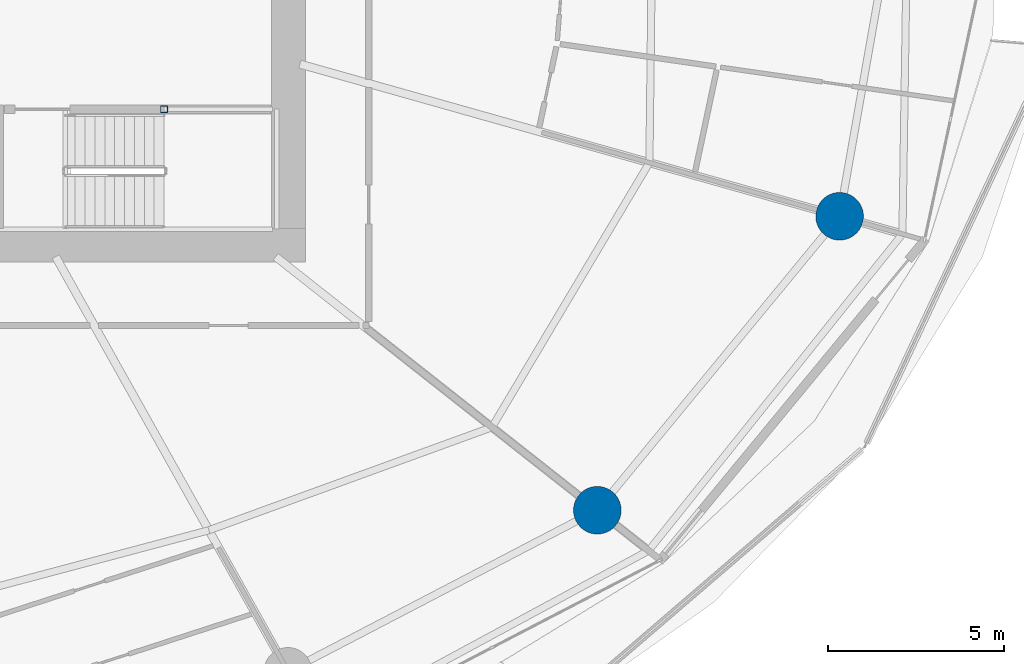
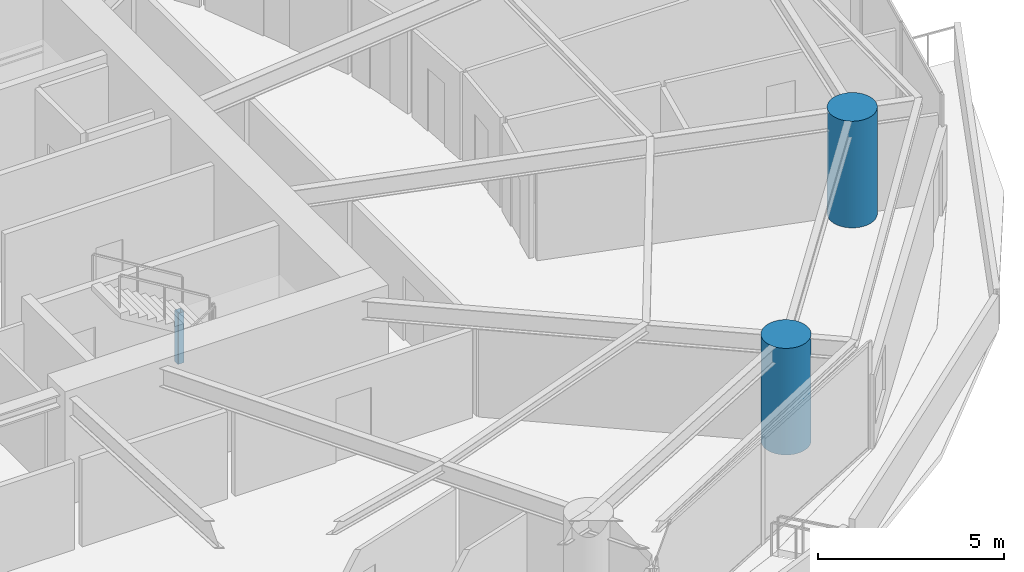
# One storey, part 3 of 31: 3 columns.
"""IFC4 building model written with IfcOpenShell, lengths in metres."""

import ifcopenshell
import ifcopenshell.guid

model = None  # the IFC model being written
_history = None  # IfcOwnerHistory: only IFC2X3 demands one
_inside = {}  # id of a spatial element -> (the spatial element, [elements in it])
_under = {}  # id of a project, library or spatial element -> (it, [spatial elements below it])
_declared = {}  # id of a project -> (the project, [libraries it declares])
_typed = {}  # id of a type object -> (the type object, [elements of that type])
_made_of = {}  # id of a material, layer set ... -> (it, [elements and type objects made of it])


def new_model(schema):
    """Start an empty IFC model of exactly this schema.

    Asked for "IFC4X3", IfcOpenShell would pick the latest addendum, in which some entities
    have other attributes; the version numbers below select the first issue.
    IFC2X3 requires an IfcOwnerHistory on every rooted entity: one is made here for all.
    """
    global model, _history
    if schema == "IFC4X3":
        model = ifcopenshell.file(schema_version=(4, 3, 0, 0))
    else:
        model = ifcopenshell.file(schema=schema)
    _inside.clear()
    _under.clear()
    _declared.clear()
    _typed.clear()
    _made_of.clear()
    _history = None
    if model.schema == "IFC2X3":
        org = make("IfcOrganization", Name="unknown")
        user = make(
            "IfcPersonAndOrganization",
            ThePerson=make("IfcPerson", FamilyName="unknown"),
            TheOrganization=org,
        )
        app = make(
            "IfcApplication",
            ApplicationDeveloper=org,
            Version="unknown",
            ApplicationFullName="unknown",
            ApplicationIdentifier="unknown",
        )
        _history = make(
            "IfcOwnerHistory",
            OwningUser=user,
            OwningApplication=app,
            ChangeAction="ADDED",
            CreationDate=0,
        )
    return model


def make(cls, **values):
    """One entity of the class cls with the attributes given. An attribute that is None is left unset."""
    return model.create_entity(
        cls, **{name: value for name, value in values.items() if value is not None}
    )


def rooted(cls, **values):
    """An entity with a GlobalId (a new one), such as an element, a storey or a relation."""
    return make(cls, GlobalId=ifcopenshell.guid.new(), OwnerHistory=_history, **values)


def si_unit(unit_type, name, prefix=None):
    """IfcSIUnit, for example si_unit("LENGTHUNIT", "METRE", prefix="MILLI")."""
    return make("IfcSIUnit", UnitType=unit_type, Prefix=prefix, Name=name)


def assignment(units):
    """IfcUnitAssignment: the units of a project."""
    return None if units is None else make("IfcUnitAssignment", Units=units)


def point(xyz):
    """IfcCartesianPoint."""
    return None if xyz is None else make("IfcCartesianPoint", Coordinates=xyz)


def direction(xyz):
    """IfcDirection."""
    return None if xyz is None else make("IfcDirection", DirectionRatios=xyz)


def frame(location, z_axis=None, x_axis=None):
    """IfcAxis2Placement3D, a coordinate frame: its origin and axes. An axis left out is left unset."""
    return make(
        "IfcAxis2Placement3D",
        Location=point(location),
        Axis=direction(z_axis),
        RefDirection=direction(x_axis),
    )


def frame_2d(location, x_axis=None):
    """IfcAxis2Placement2D, a coordinate frame in the plane: its origin and x axis."""
    return make(
        "IfcAxis2Placement2D", Location=point(location), RefDirection=direction(x_axis)
    )


def origin():
    """The frame at (0, 0, 0) with its axes left unset."""
    return frame((0.0, 0.0, 0.0))


def origin_2d():
    """The frame at (0, 0) in the plane with its x axis left unset."""
    return frame_2d((0.0, 0.0))


def place(relative_to, where):
    """IfcLocalPlacement: puts the frame where relative to a parent placement (None: the world)."""
    return make(
        "IfcLocalPlacement", PlacementRelTo=relative_to, RelativePlacement=where
    )


def context(
    kind, dimensions, precision=None, world=None, true_north=None, identifier=None
):
    """IfcGeometricRepresentationContext, for example the 3D "Model" context."""
    return make(
        "IfcGeometricRepresentationContext",
        ContextIdentifier=identifier,
        ContextType=kind,
        CoordinateSpaceDimension=dimensions,
        Precision=precision,
        WorldCoordinateSystem=world,
        TrueNorth=true_north,
    )


def subcontext(parent, identifier, kind, view, scale=None):
    """IfcGeometricRepresentationSubContext, for example "Body" below "Model"."""
    return make(
        "IfcGeometricRepresentationSubContext",
        ContextIdentifier=identifier,
        ContextType=kind,
        ParentContext=parent,
        TargetScale=scale,
        TargetView=view,
    )


def project(units=None, contexts=None):
    """IfcProject with its units and contexts."""
    return rooted(
        "IfcProject",
        Name="project",
        RepresentationContexts=contexts,
        UnitsInContext=assignment(units),
    )


def spatial(cls, under=None, at=None, **own):
    """A site, building, storey or space (cls), placed at a placement, below another one or the project."""
    s = rooted(cls, ObjectPlacement=at, **own)
    if under is not None:
        _under.setdefault(under.id(), (under, []))[1].append(s)
    return s


def profile(cls, at=None, kind="AREA", **sizes):
    """A parametric profile (cls). Its sizes go by their IFC names, for example OverallWidth=200.0."""
    return make(cls, ProfileType=kind, Position=at, **sizes)


def hollow_rectangle(**sizes):
    """IfcRectangleHollowProfileDef."""
    return profile("IfcRectangleHollowProfileDef", **sizes)


def circle(**sizes):
    """IfcCircleProfileDef."""
    return profile("IfcCircleProfileDef", **sizes)


def extrude(swept, where, along, depth):
    """IfcExtrudedAreaSolid: the profile swept, set in the frame where, extruded along a direction by depth."""
    return make(
        "IfcExtrudedAreaSolid",
        SweptArea=swept,
        Position=where,
        ExtrudedDirection=direction(along),
        Depth=depth,
    )


def shape(context_of_items, identifier, shape_type, items):
    """IfcShapeRepresentation: the items that make up one representation, for example the "Body"."""
    return make(
        "IfcShapeRepresentation",
        ContextOfItems=context_of_items,
        RepresentationIdentifier=identifier,
        RepresentationType=shape_type,
        Items=items,
    )


def material(Name=None, Category=None):
    """IfcMaterial."""
    return make("IfcMaterial", Name=Name, Category=Category)


def material_profile(
    of_material, cross_section, Name=None, Category=None, Priority=None
):
    """IfcMaterialProfile: a cross section and its material."""
    return make(
        "IfcMaterialProfile",
        Name=Name,
        Material=of_material,
        Profile=cross_section,
        Priority=Priority,
        Category=Category,
    )


def profile_set(profiles, Name=None, composite=None):
    """IfcMaterialProfileSet."""
    return make(
        "IfcMaterialProfileSet",
        Name=Name,
        MaterialProfiles=profiles,
        CompositeProfile=composite,
    )


def made_of(thing, what):
    """Note that an element or type object is made of a material, layer set ...; save() writes the relation."""
    if what is not None:
        _made_of.setdefault(what.id(), (what, []))[1].append(thing)
    return thing


def type_object(cls, material=None, **own):
    """A type object (cls), such as IfcWallType, which elements share."""
    return made_of(rooted(cls, **own), material)


def element(
    cls,
    number,
    at=None,
    inside=None,
    cuts=None,
    type_object=None,
    material=None,
    context=None,
    identifier="Body",
    shape_type=None,
    held_by="IfcProductDefinitionShape",
    body=None,
    shapes=None,
    **own,
):
    """One element of the class cls, such as IfcWall. Its Tag is "e" and its number.

    at: its placement. inside: the storey or other place that contains it. cuts: it is an
    opening in that element (IfcRelVoidsElement). A single representation is given by context,
    identifier, shape_type and body (its items); several are given by shapes. held_by: the class
    of the entity that holds the representations. save() writes the other relations.
    """
    e = rooted(cls, Tag="e%d" % number, ObjectPlacement=at, **own)
    if body is not None:
        shapes = [shape(context, identifier, shape_type, body)]
    if shapes is not None:
        e.Representation = make(held_by, Representations=shapes)
    if inside is not None:
        _inside.setdefault(inside.id(), (inside, []))[1].append(e)
    if cuts is not None:
        rooted(
            "IfcRelVoidsElement", RelatingBuildingElement=cuts, RelatedOpeningElement=e
        )
    if type_object is not None:
        _typed.setdefault(type_object.id(), (type_object, []))[1].append(e)
    return made_of(e, material)


def aggregate(whole, parts):
    """IfcRelAggregates: a whole, such as a stair, and the parts it consists of."""
    return rooted("IfcRelAggregates", RelatingObject=whole, RelatedObjects=parts)


def save(model, path):
    """Write the relations noted so far, then the file.

    IfcRelAggregates (storeys below a building ...), IfcRelContainedInSpatialStructure (elements
    in a storey), IfcRelDefinesByType, IfcRelAssociatesMaterial and IfcRelDeclares: one each for
    every whole, place, type object, material and project.
    """
    for whole, parts in _under.values():
        aggregate(whole, parts)
    for where, things in _inside.values():
        rooted(
            "IfcRelContainedInSpatialStructure",
            RelatedElements=things,
            RelatingStructure=where,
        )
    for kind, things in _typed.values():
        rooted("IfcRelDefinesByType", RelatedObjects=things, RelatingType=kind)
    for what, things in _made_of.values():
        rooted("IfcRelAssociatesMaterial", RelatedObjects=things, RelatingMaterial=what)
    for by, libraries in _declared.values():
        rooted("IfcRelDeclares", RelatingContext=by, RelatedDefinitions=libraries)
    model.write(path)


model = new_model("IFC4")

# Units and contexts
model_context = context("Model", 3, precision=1e-05, world=origin(), true_north=direction((0.0, 1.0)))
body_context = subcontext(model_context, "Body", "Model", "MODEL_VIEW")
ifc_project = project(units=[si_unit("LENGTHUNIT", "METRE"), si_unit("AREAUNIT", "SQUARE_METRE"), si_unit("VOLUMEUNIT", "CUBIC_METRE"), si_unit("PLANEANGLEUNIT", "RADIAN"), si_unit("MASSUNIT", "GRAM", prefix="KILO")], contexts=[model_context])

# Site, building, storey
site_placement = place(None, origin())
site = spatial("IfcSite", under=ifc_project, at=site_placement, CompositionType="ELEMENT")
building_placement = place(site_placement, origin())
building = spatial("IfcBuilding", under=site, at=building_placement, Name="Kazma Halo Residences", CompositionType="ELEMENT")
storey_placement = place(building_placement, frame((0.0, 0.0, 45.14990234375)))
storey = spatial("IfcBuildingStorey", under=building, at=storey_placement, Name="L10", CompositionType="ELEMENT", Elevation=45.14990234375)

# Columns
ifc_material_1 = material(Name="Steel S355", Category="steel")
ifc_material_profile_1 = material_profile(ifc_material_1, hollow_rectangle(XDim=0.199951171875, YDim=0.199951171875, WallThickness=0.010009765625, InnerFilletRadius=0.010009765625, OuterFilletRadius=0.02001953125, at=origin_2d()), Name="SHS200x200x10")
ifc_profile_set_1 = profile_set([ifc_material_profile_1], Name="Steel S355")
column_type_1 = type_object("IfcColumnType", Name="COL-LP-SHS200", PredefinedType="COLUMN", material=ifc_profile_set_1)
column_placement = place(storey_placement, frame((56.0, 37.3798828125, 0.0), z_axis=(0.0, 0.0, 1.0), x_axis=(1.0, 0.0, 0.0)))
element("IfcColumn", 1, at=column_placement, inside=storey, type_object=column_type_1, Name="L10 ST-03 landing pilaster 1", PredefinedType="COLUMN", context=body_context, shape_type="SweptSolid", body=[
    extrude(hollow_rectangle(XDim=0.199951171875, YDim=0.199951171875, WallThickness=0.010009765625, InnerFilletRadius=0.010009765625, OuterFilletRadius=0.02001953125, at=origin_2d()), origin(), (0.0, 0.0, 1.0), 1.670166015625),
])
ifc_material_2 = material(Name="Concrete C80/95", Category="concrete")
ifc_material_profile_2 = material_profile(ifc_material_2, circle(Radius=0.675048828125, at=origin_2d()), Name="CIRC1350")
ifc_profile_set_2 = profile_set([ifc_material_profile_2], Name="Concrete C80/95")
column_type_2 = type_object("IfcColumnType", Name="COL-PERIM-1350", PredefinedType="COLUMN", material=ifc_profile_set_2)
for number, where, z_axis, x_axis, name in (
    (2, (68.27587890625, 26.015869140625, 0.0), (0.0, 0.0, 1.0), (1.0, 0.0, 0.0), "L10 perimeter ring column P14"),
    (3, (75.140869140625, 34.345458984375, 0.0), (0.0, 0.0, 1.0), (1.0, 0.0, 0.0), "L10 perimeter ring column P15"),
):
    element("IfcColumn", number, at=place(storey_placement, frame(where, z_axis=z_axis, x_axis=x_axis)), inside=storey, type_object=column_type_2, Name=name, PredefinedType="COLUMN", context=body_context, shape_type="SweptSolid", body=[
        extrude(circle(Radius=0.675048828125, at=origin_2d()), origin(), (0.0, 0.0, 1.0), 3.5),
    ])

save(model, "model.ifc")
